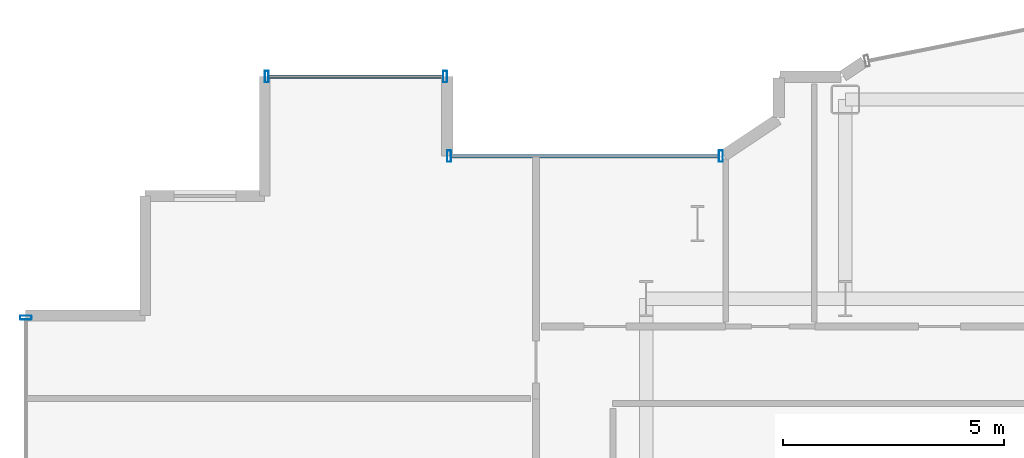
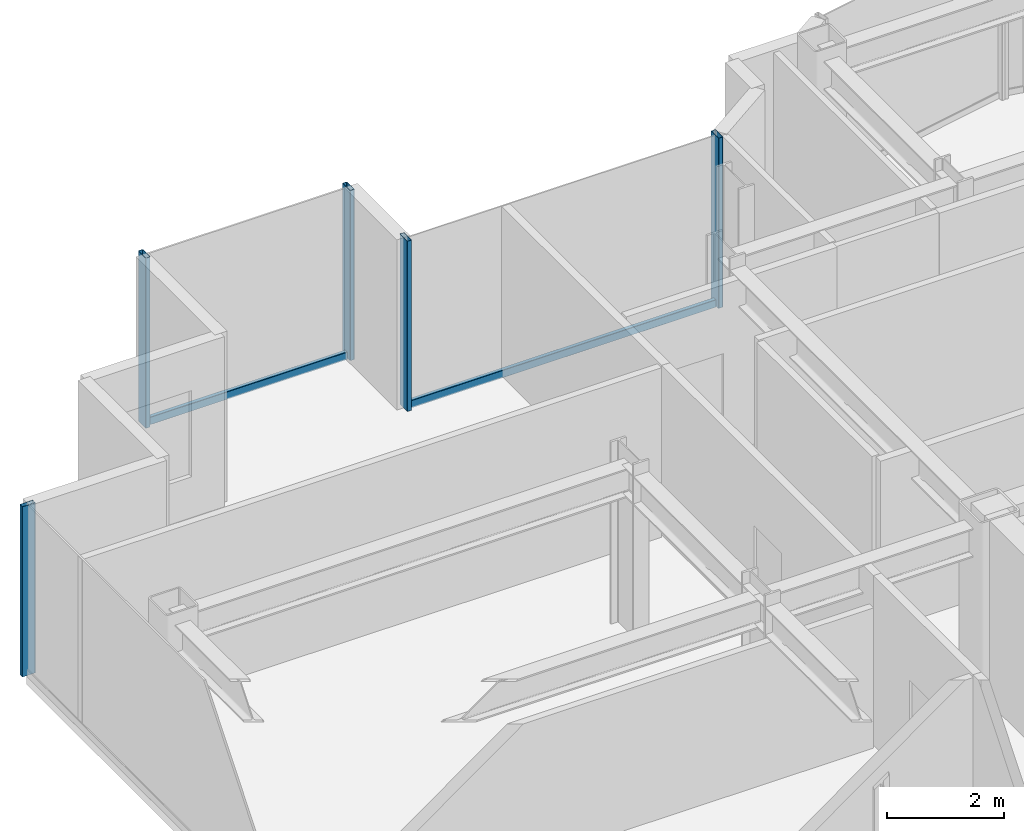
# One storey, part 8 of 20: 7 members, 3 elements without a shape of their own.
"""IFC4 building model written with IfcOpenShell, lengths in metres."""

from ifc_helpers import new_model, si_unit, direction, frame, origin, origin_2d, place, context, subcontext, project, spatial, hollow_rectangle, extrude, source, transform, mapped, material, layer, layer_set, material_profile, profile_set, type_object, element, aggregate, save


model = new_model("IFC4")

# Units and contexts
model_context = context("Model", 3, precision=1e-05, world=origin(), true_north=direction((0.0, 1.0)))
body_context = subcontext(model_context, "Body", "Model", "MODEL_VIEW")
ifc_project = project(units=[si_unit("LENGTHUNIT", "METRE"), si_unit("AREAUNIT", "SQUARE_METRE"), si_unit("VOLUMEUNIT", "CUBIC_METRE"), si_unit("PLANEANGLEUNIT", "RADIAN"), si_unit("MASSUNIT", "GRAM", prefix="KILO")], contexts=[model_context])

# Site, building, storey
site_placement = place(None, origin())
site = spatial("IfcSite", under=ifc_project, at=site_placement, CompositionType="ELEMENT")
building_placement = place(site_placement, origin())
building = spatial("IfcBuilding", under=site, at=building_placement, Name="Nefas-Gora Pilgrimage Tower", CompositionType="ELEMENT")
storey_placement = place(building_placement, frame((0.0, 0.0, 237.0)))
storey = spatial("IfcBuildingStorey", under=building, at=storey_placement, Name="L59", CompositionType="ELEMENT", Elevation=237.0)

# Curtain wall, members
ifc_material_1 = material(Name="Dark ceramic-fritted solar-control aluminium-glass curtain wall", Category="aluminium")
ifc_layer_1 = layer(ifc_material_1, 0.219970703125)
ifc_layer_set_1 = layer_set([ifc_layer_1], Name="Dark ceramic-fritted solar-control aluminium-glass curtain wall")
curtain_wall_type_1 = type_object("IfcCurtainWallType", Name="CW-SYS-5", PredefinedType="NOTDEFINED", material=ifc_layer_set_1)
curtain_wall_1_placement = place(storey_placement, origin())
curtain_wall_1 = element("IfcCurtainWall", 1, at=curtain_wall_1_placement, inside=storey, type_object=curtain_wall_type_1, Name="L59 Unitised Curtain Wall CW5", PredefinedType="NOTDEFINED")
ifc_material_2 = material(Name="Anodised architectural aluminium", Category="aluminium")
ifc_material_profile_1 = material_profile(ifc_material_2, hollow_rectangle(XDim=0.090087890625, YDim=0.260009765625, WallThickness=0.006103515625, InnerFilletRadius=0.006103515625, OuterFilletRadius=0.011962890625, at=origin_2d()), Name="ALU MULLION 90x260")
ifc_profile_set_1 = profile_set([ifc_material_profile_1], Name="Anodised architectural aluminium")
member_type_1 = type_object("IfcMemberType", Name="CWM-MUL-5", PredefinedType="MULLION", material=ifc_profile_set_1)
shared_shape_1 = source(origin(), body_context, "Body", "SweptSolid", [
    extrude(hollow_rectangle(XDim=0.090087890625, YDim=0.260009765625, WallThickness=0.006103515625, InnerFilletRadius=0.006103515625, OuterFilletRadius=0.011962890625, at=origin_2d()), origin(), (0.0, 0.0, 1.0), 3.550048828125),
])
member_1_placement = place(storey_placement, frame((-9.56298828125, 21.219970703125, 0.0), z_axis=(0.0, 0.0, 1.0), x_axis=(-1.0, 0.0, 0.0)))
member_1 = element("IfcMember", 2, at=member_1_placement, type_object=member_type_1, Name="CW5 Mullion 1", PredefinedType="MULLION", context=body_context, shape_type="MappedRepresentation", body=[
    mapped(shared_shape_1, transform((0.0, 0.0, 0.0), x_axis=(1.0, 0.0, 0.0), y_axis=(0.0, 1.0, 0.0), z_axis=(0.0, 0.0, 1.0), scale=1.0)),
])
member_2_placement = place(storey_placement, frame((-15.705078125, 21.219970703125, 0.0), z_axis=(0.0, 0.0, 1.0), x_axis=(-1.0, 0.0, 0.0)))
member_2 = element("IfcMember", 3, at=member_2_placement, type_object=member_type_1, Name="CW5 Mullion 2", PredefinedType="MULLION", context=body_context, shape_type="MappedRepresentation", body=[
    mapped(shared_shape_1, transform((0.0, 0.0, 0.0), x_axis=(1.0, 0.0, 0.0), y_axis=(0.0, 1.0, 0.0), z_axis=(0.0, 0.0, 1.0), scale=1.0)),
])
ifc_material_profile_2 = material_profile(ifc_material_2, hollow_rectangle(XDim=0.080078125, YDim=0.159912109375, WallThickness=0.00439453125, InnerFilletRadius=0.00439453125, OuterFilletRadius=0.009033203125, at=origin_2d()), Name="ALU TRANSOM 80x160")
ifc_profile_set_2 = profile_set([ifc_material_profile_2], Name="Anodised architectural aluminium")
member_type_2 = type_object("IfcMemberType", Name="CWM-TRN-5", PredefinedType="USERDEFINED", material=ifc_profile_set_2)
shared_shape_2 = source(origin(), body_context, "Body", "SweptSolid", [
    extrude(hollow_rectangle(XDim=0.080078125, YDim=0.159912109375, WallThickness=0.00439453125, InnerFilletRadius=0.00439453125, OuterFilletRadius=0.009033203125, at=origin_2d()), origin(), (0.0, 0.0, 1.0), 6.052001953125),
])
member_3_placement = place(storey_placement, frame((-9.60791015625, 21.219970703125, 0.050048828125), z_axis=(-1.0, 0.0, 0.0), x_axis=(0.0, -1.0, 0.0)))
member_3 = element("IfcMember", 4, at=member_3_placement, type_object=member_type_2, Name="CW5 Spandrel Transom", ObjectType="TRANSOM", PredefinedType="USERDEFINED", context=body_context, shape_type="MappedRepresentation", body=[
    mapped(shared_shape_2, transform((0.0, 0.0, 0.0), x_axis=(1.0, 0.0, 0.0), y_axis=(0.0, 1.0, 0.0), z_axis=(0.0, 0.0, 1.0), scale=1.0)),
])
aggregate(curtain_wall_1, [member_1, member_2, member_3])

ifc_layer_2 = layer(ifc_material_1, 0.219970703125)
ifc_layer_set_2 = layer_set([ifc_layer_2], Name="Dark ceramic-fritted solar-control aluminium-glass curtain wall")
curtain_wall_type_2 = type_object("IfcCurtainWallType", Name="CW-SYS-3", PredefinedType="NOTDEFINED", material=ifc_layer_set_2)
curtain_wall_2_placement = place(storey_placement, origin())
curtain_wall_2 = element("IfcCurtainWall", 5, at=curtain_wall_2_placement, inside=storey, type_object=curtain_wall_type_2, Name="L59 Unitised Curtain Wall CW3", PredefinedType="NOTDEFINED")
ifc_material_profile_3 = material_profile(ifc_material_2, hollow_rectangle(XDim=0.090087890625, YDim=0.260009765625, WallThickness=0.006103515625, InnerFilletRadius=0.006103515625, OuterFilletRadius=0.011962890625, at=origin_2d()), Name="ALU MULLION 90x260")
ifc_profile_set_3 = profile_set([ifc_material_profile_3], Name="Anodised architectural aluminium")
member_type_3 = type_object("IfcMemberType", Name="CWM-MUL-3", PredefinedType="MULLION", material=ifc_profile_set_3)
shared_shape_3 = source(origin(), body_context, "Body", "SweptSolid", [
    extrude(hollow_rectangle(XDim=0.090087890625, YDim=0.260009765625, WallThickness=0.006103515625, InnerFilletRadius=0.006103515625, OuterFilletRadius=0.011962890625, at=origin_2d()), origin(), (0.0, 0.0, 1.0), 3.550048828125),
])
member_4_placement = place(storey_placement, frame((-15.794921875, 23.02001953125, 0.0), z_axis=(0.0, 0.0, 1.0), x_axis=(-1.0, 0.0, 0.0)))
member_4 = element("IfcMember", 6, at=member_4_placement, type_object=member_type_3, Name="CW3 Mullion 1", PredefinedType="MULLION", context=body_context, shape_type="MappedRepresentation", body=[
    mapped(shared_shape_3, transform((0.0, 0.0, 0.0), x_axis=(1.0, 0.0, 0.0), y_axis=(0.0, 1.0, 0.0), z_axis=(0.0, 0.0, 1.0), scale=1.0)),
])
member_5_placement = place(storey_placement, frame((-19.824951171875, 23.02001953125, 0.0), z_axis=(0.0, 0.0, 1.0), x_axis=(-1.0, 0.0, 0.0)))
member_5 = element("IfcMember", 7, at=member_5_placement, type_object=member_type_3, Name="CW3 Mullion 2", PredefinedType="MULLION", context=body_context, shape_type="MappedRepresentation", body=[
    mapped(shared_shape_3, transform((0.0, 0.0, 0.0), x_axis=(1.0, 0.0, 0.0), y_axis=(0.0, 1.0, 0.0), z_axis=(0.0, 0.0, 1.0), scale=1.0)),
])

# Curtain wall, member
curtain_wall_3_placement = place(storey_placement, origin())
curtain_wall_3 = element("IfcCurtainWall", 8, at=curtain_wall_3_placement, inside=storey, type_object=curtain_wall_type_2, Name="L59 Unitised Curtain Wall CW3", PredefinedType="NOTDEFINED")
member_6_placement = place(storey_placement, frame((-25.27001953125, 17.574951171875, 0.0), z_axis=(0.0, 0.0, 1.0), x_axis=(0.0, -1.0, 0.0)))
member_6 = element("IfcMember", 9, at=member_6_placement, type_object=member_type_3, Name="CW3 Mullion 1", PredefinedType="MULLION", context=body_context, shape_type="MappedRepresentation", body=[
    mapped(shared_shape_3, transform((0.0, 0.0, 0.0), x_axis=(1.0, 0.0, 0.0), y_axis=(0.0, 1.0, 0.0), z_axis=(0.0, 0.0, 1.0), scale=1.0)),
])
aggregate(curtain_wall_3, [member_6])

# Member
ifc_material_profile_4 = material_profile(ifc_material_2, hollow_rectangle(XDim=0.080078125, YDim=0.159912109375, WallThickness=0.00439453125, InnerFilletRadius=0.00439453125, OuterFilletRadius=0.009033203125, at=origin_2d()), Name="ALU TRANSOM 80x160")
ifc_profile_set_4 = profile_set([ifc_material_profile_4], Name="Anodised architectural aluminium")
member_type_4 = type_object("IfcMemberType", Name="CWM-TRN-3", PredefinedType="USERDEFINED", material=ifc_profile_set_4)
shared_shape_4 = source(origin(), body_context, "Body", "SweptSolid", [
    extrude(hollow_rectangle(XDim=0.080078125, YDim=0.159912109375, WallThickness=0.00439453125, InnerFilletRadius=0.00439453125, OuterFilletRadius=0.009033203125, at=origin_2d()), origin(), (0.0, 0.0, 1.0), 3.93994140625),
])
member_7_placement = place(storey_placement, frame((-15.840087890625, 23.02001953125, 0.050048828125), z_axis=(-1.0, 0.0, 0.0), x_axis=(0.0, -1.0, 0.0)))
member_7 = element("IfcMember", 10, at=member_7_placement, type_object=member_type_4, Name="CW3 Spandrel Transom", ObjectType="TRANSOM", PredefinedType="USERDEFINED", context=body_context, shape_type="MappedRepresentation", body=[
    mapped(shared_shape_4, transform((0.0, 0.0, 0.0), x_axis=(1.0, 0.0, 0.0), y_axis=(0.0, 1.0, 0.0), z_axis=(0.0, 0.0, 1.0), scale=1.0)),
])

aggregate(curtain_wall_2, [member_4, member_5, member_7])

save(model, "model.ifc")
